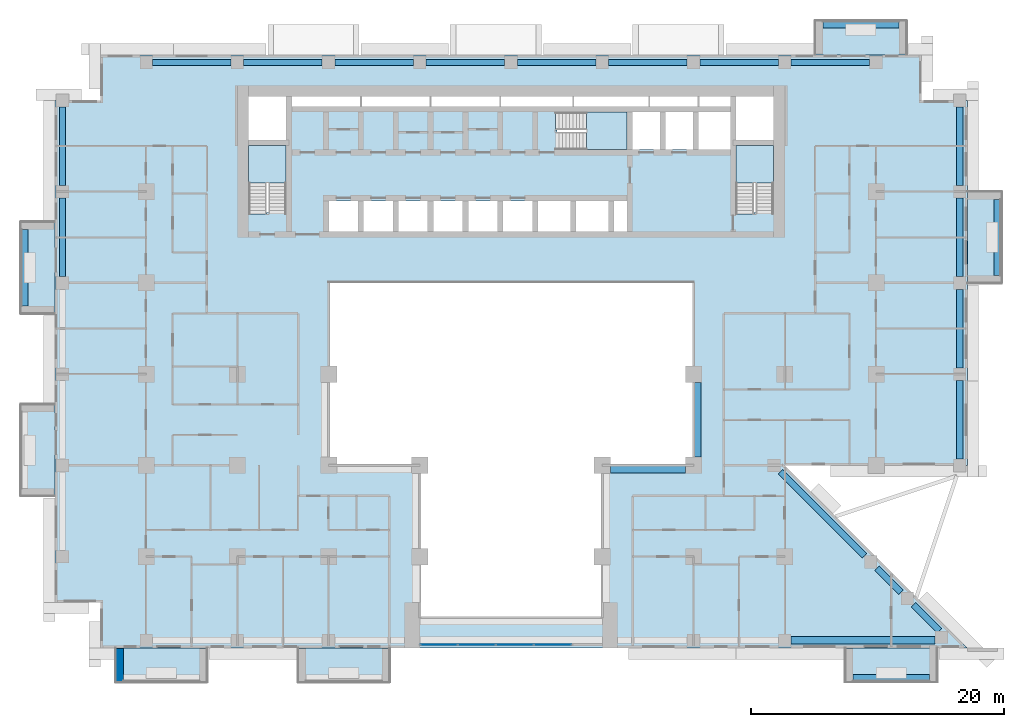
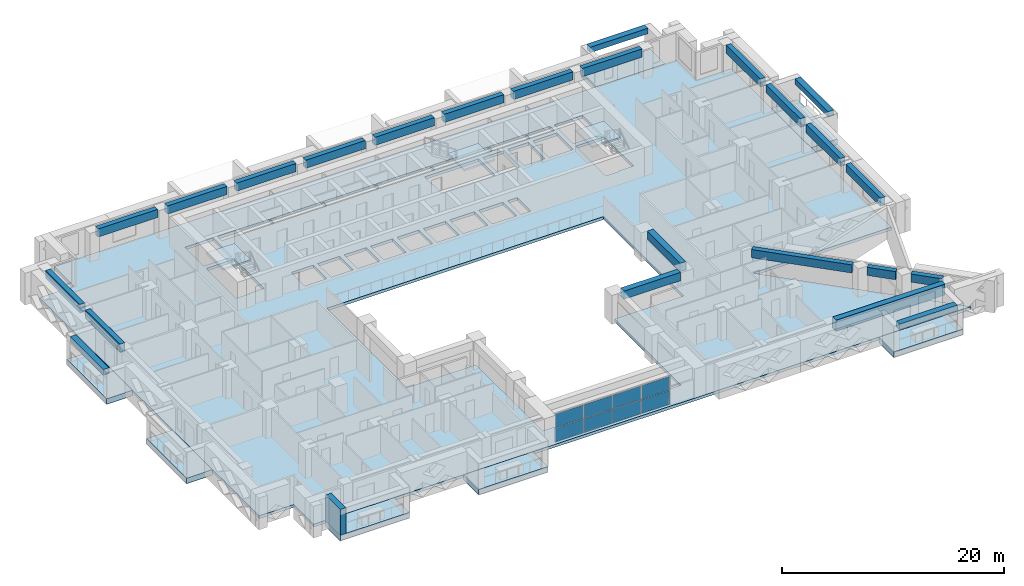
# One storey, part 5 of 17: 24 beams, 11 slabs, 8 plates, 1 wall, 4 elements without a shape of their own.
"""IFC4 building model written with IfcOpenShell, lengths in metres."""

from ifc_helpers import new_model, si_unit, direction, frame, frame_2d, origin, origin_2d, place, context, subcontext, project, spatial, polyline, rectangle, outline, extrude, source, transform, mapped, material, layer, layer_set, material_profile, profile_set, type_object, element, aggregate, save


model = new_model("IFC4")

# Units and contexts
model_context = context("Model", 3, precision=1e-05, world=origin(), true_north=direction((0.0, 1.0)))
body_context = subcontext(model_context, "Body", "Model", "MODEL_VIEW")
ifc_project = project(units=[si_unit("LENGTHUNIT", "METRE"), si_unit("AREAUNIT", "SQUARE_METRE"), si_unit("VOLUMEUNIT", "CUBIC_METRE"), si_unit("PLANEANGLEUNIT", "RADIAN"), si_unit("MASSUNIT", "GRAM", prefix="KILO")], contexts=[model_context])

# Site, building, storey
site_placement = place(None, origin())
site = spatial("IfcSite", under=ifc_project, at=site_placement, CompositionType="ELEMENT")
building_placement = place(site_placement, origin())
building = spatial("IfcBuilding", under=site, at=building_placement, Name="Saffron Iwan Residences", CompositionType="ELEMENT")
storey_placement = place(building_placement, frame((0.0, 0.0, 76.0)))
storey = spatial("IfcBuildingStorey", under=building, at=storey_placement, Name="L19", CompositionType="ELEMENT", Elevation=76.0)

# Beams
ifc_material_1 = material(Name="Concrete C60/75", Category="concrete")
ifc_material_profile_1 = material_profile(ifc_material_1, rectangle(XDim=0.5, YDim=0.89990234375, at=origin_2d()), Name="RC 500x900")
ifc_profile_set_1 = profile_set([ifc_material_profile_1], Name="Concrete C60/75")
beam_type_1 = type_object("IfcBeamType", Name="SPANDREL BEAM RC 500x900 C60/75 TOP 3180", PredefinedType="SPANDREL", material=ifc_profile_set_1)
shared_shape_1 = source(origin(), body_context, "Body", "SweptSolid", [
    extrude(rectangle(XDim=0.5, YDim=0.89990234375, at=origin_2d()), origin(), (0.0, 0.0, 1.0), 6.199951171875),
])
for number, where, z_axis, x_axis, name in (
    (1, (85.800048828125, 54.699951171875, 2.72998046875), (0.0, -1.0, 0.0), (1.0, 0.0, 0.0), "Spandrel beam"),
    (2, (85.800048828125, 61.89990234375, 2.72998046875), (0.0, -1.0, 0.0), (1.0, 0.0, 0.0), "Spandrel beam"),
    (3, (15.0, 70.10009765625, 2.72998046875), (0.0, 1.0, 0.0), (-1.0, 0.0, 0.0), "Spandrel beam"),
    (4, (85.800048828125, 76.300048828125, 2.72998046875), (0.0, -1.0, 0.0), (1.0, 0.0, 0.0), "Spandrel beam"),
    (5, (22.10009765625, 79.800048828125, 2.72998046875), (1.0, 0.0, 0.0), (0.0, 1.0, 0.0), "Spandrel beam"),
    (6, (29.300048828125, 79.800048828125, 2.72998046875), (1.0, 0.0, 0.0), (0.0, 1.0, 0.0), "Spandrel beam"),
    (7, (36.5, 79.800048828125, 2.72998046875), (1.0, 0.0, 0.0), (0.0, 1.0, 0.0), "Spandrel beam"),
    (8, (43.699951171875, 79.800048828125, 2.72998046875), (1.0, 0.0, 0.0), (0.0, 1.0, 0.0), "Spandrel beam"),
    (9, (58.10009765625, 79.800048828125, 2.72998046875), (1.0, 0.0, 0.0), (0.0, 1.0, 0.0), "Spandrel beam"),
    (10, (65.300048828125, 79.800048828125, 2.72998046875), (1.0, 0.0, 0.0), (0.0, 1.0, 0.0), "Spandrel beam"),
    (11, (72.5, 79.800048828125, 2.72998046875), (1.0, 0.0, 0.0), (0.0, 1.0, 0.0), "Spandrel beam"),
):
    element("IfcBeam", number, at=place(storey_placement, frame(where, z_axis=z_axis, x_axis=x_axis)), inside=storey, type_object=beam_type_1, Name=name, PredefinedType="SPANDREL", context=body_context, shape_type="MappedRepresentation", body=[
        mapped(shared_shape_1, transform((0.0, 0.0, 0.0))),
    ])
shared_shape_2 = source(origin(), body_context, "Body", "SweptSolid", [
    extrude(rectangle(XDim=0.5, YDim=0.89990234375, at=origin_2d()), origin(), (0.0, 0.0, 1.0), 2.90478515625),
])
beam_1_placement = place(storey_placement, frame((82.15576171875, 36.995849609375, 2.72998046875), z_axis=(0.707106781187, -0.707106781187, 0.0), x_axis=(0.707106781187, 0.707106781187, 0.0)))
element("IfcBeam", 12, at=beam_1_placement, inside=storey, type_object=beam_type_1, Name="Spandrel beam", PredefinedType="SPANDREL", context=body_context, shape_type="MappedRepresentation", body=[
    mapped(shared_shape_2, transform((0.0, 0.0, 0.0))),
])
shared_shape_3 = source(origin(), body_context, "Body", "SweptSolid", [
    extrude(rectangle(XDim=0.5, YDim=0.89990234375, at=origin_2d()), origin(), (0.0, 0.0, 1.0), 2.658935546875),
])
beam_2_placement = place(storey_placement, frame((79.275634765625, 39.875732421875, 2.72998046875), z_axis=(0.707106781187, -0.707106781187, 0.0), x_axis=(0.707106781187, 0.707106781187, 0.0)))
element("IfcBeam", 13, at=beam_2_placement, inside=storey, type_object=beam_type_1, Name="Spandrel beam", PredefinedType="SPANDREL", context=body_context, shape_type="MappedRepresentation", body=[
    mapped(shared_shape_3, transform((0.0, 0.0, 0.0))),
])
shared_shape_4 = source(origin(), body_context, "Body", "SweptSolid", [
    extrude(rectangle(XDim=0.5, YDim=0.89990234375, at=origin_2d()), origin(), (0.0, 0.0, 1.0), 9.370361328125),
])
beam_3_placement = place(storey_placement, frame((71.64990234375, 47.50146484375, 2.72998046875), z_axis=(0.707119808329, -0.707093753804, 0.0), x_axis=(0.707093753804, 0.707119808329, 0.0)))
element("IfcBeam", 14, at=beam_3_placement, inside=storey, type_object=beam_type_1, Name="Spandrel beam", PredefinedType="SPANDREL", context=body_context, shape_type="MappedRepresentation", body=[
    mapped(shared_shape_4, transform((0.0, 0.0, 0.0))),
])
shared_shape_5 = source(origin(), body_context, "Body", "SweptSolid", [
    extrude(rectangle(XDim=0.5, YDim=0.89990234375, at=origin_2d()), origin(), (0.0, 0.0, 1.0), 6.2001953125),
])
for number, where, z_axis, x_axis, name in (
    (15, (15.0, 62.89990234375, 2.72998046875), (0.0, 1.0, 0.0), (-1.0, 0.0, 0.0), "Spandrel beam"),
    (16, (85.800048828125, 69.10009765625, 2.72998046875), (0.0, -1.0, 0.0), (1.0, 0.0, 0.0), "Spandrel beam"),
    (17, (50.89990234375, 79.800048828125, 2.72998046875), (1.0, 0.0, 0.0), (0.0, 1.0, 0.0), "Spandrel beam"),
):
    element("IfcBeam", number, at=place(storey_placement, frame(where, z_axis=z_axis, x_axis=x_axis)), inside=storey, type_object=beam_type_1, Name=name, PredefinedType="SPANDREL", context=body_context, shape_type="MappedRepresentation", body=[
        mapped(shared_shape_5, transform((0.0, 0.0, 0.0))),
    ])
ifc_material_profile_2 = material_profile(ifc_material_1, rectangle(XDim=0.60009765625, YDim=1.199951171875, at=origin_2d()), Name="RC 600x1200")
ifc_profile_set_2 = profile_set([ifc_material_profile_2], Name="Concrete C60/75")
beam_type_2 = type_object("IfcBeamType", Name="LINTEL BEAM RC 600x1200 C60/75 TOP 3180", PredefinedType="LINTEL", material=ifc_profile_set_2)
shared_shape_6 = source(origin(), body_context, "Body", "SweptSolid", [
    extrude(rectangle(XDim=0.60009765625, YDim=1.199951171875, at=origin_2d()), origin(), (0.0, 0.0, 1.0), 11.367431640625),
])
beam_4_placement = place(storey_placement, frame((83.867431640625, 34.199951171875, 2.580078125), z_axis=(-1.0, 0.0, 0.0), x_axis=(0.0, -1.0, 0.0)))
element("IfcBeam", 18, at=beam_4_placement, inside=storey, type_object=beam_type_2, Name="Lintel beam over the iwan", PredefinedType="LINTEL", context=body_context, shape_type="MappedRepresentation", body=[
    mapped(shared_shape_6, transform((0.0, 0.0, 0.0))),
])
ifc_material_profile_3 = material_profile(ifc_material_1, rectangle(XDim=0.60009765625, YDim=0.89990234375, at=origin_2d()), Name="RC 600x900")
ifc_profile_set_3 = profile_set([ifc_material_profile_3], Name="Concrete C60/75")
beam_type_3 = type_object("IfcBeamType", Name="BEAM RC 600x900 C60/75 TOP 3180", PredefinedType="BEAM", material=ifc_profile_set_3)
shared_shape_7 = source(origin(), body_context, "Body", "SweptSolid", [
    extrude(rectangle(XDim=0.60009765625, YDim=0.89990234375, at=origin_2d()), origin(), (0.0, 0.0, 1.0), 5.900146484375),
])
beam_5_placement = place(storey_placement, frame((65.10009765625, 54.550048828125, 2.72998046875), z_axis=(0.0, -1.0, 0.0), x_axis=(1.0, 0.0, 0.0)))
element("IfcBeam", 19, at=beam_5_placement, inside=storey, type_object=beam_type_3, Name="Atrium edge beam", PredefinedType="BEAM", context=body_context, shape_type="MappedRepresentation", body=[
    mapped(shared_shape_7, transform((0.0, 0.0, 0.0))),
])
shared_shape_8 = source(origin(), body_context, "Body", "SweptSolid", [
    extrude(rectangle(XDim=0.60009765625, YDim=0.89990234375, at=origin_2d()), origin(), (0.0, 0.0, 1.0), 5.89990234375),
])
beam_6_placement = place(storey_placement, frame((64.14990234375, 47.699951171875, 2.72998046875), z_axis=(-1.0, 0.0, 0.0), x_axis=(0.0, -1.0, 0.0)))
element("IfcBeam", 20, at=beam_6_placement, inside=storey, type_object=beam_type_3, Name="Atrium edge beam", PredefinedType="BEAM", context=body_context, shape_type="MappedRepresentation", body=[
    mapped(shared_shape_8, transform((0.0, 0.0, 0.0))),
])
ifc_material_2 = material(Name="Concrete C50/60 white painted", Category="concrete")
ifc_material_profile_4 = material_profile(ifc_material_2, rectangle(XDim=0.60009765625, YDim=0.60009765625, at=origin_2d()), Name="BALCONY FASCIA BEAM 600 x 600")
ifc_profile_set_4 = profile_set([ifc_material_profile_4], Name="Concrete C50/60 white painted")
beam_type_4 = type_object("IfcBeamType", Name="BALCONY FASCIA BEAM 600 x 600", PredefinedType="BEAM", material=ifc_profile_set_4)
shared_shape_9 = source(origin(), body_context, "Body", "SweptSolid", [
    extrude(rectangle(XDim=0.60009765625, YDim=0.60009765625, at=origin_2d()), origin(), (0.0, 0.0, 1.0), 6.0),
])
for number, where, z_axis, x_axis, name in (
    (21, (88.800048828125, 63.0, 2.550048828125), (0.0, 1.0, 0.0), (-1.0, 0.0, 0.0), "Balcony fascia beam L19 F2-0"),
    (22, (81.0, 82.800048828125, 2.550048828125), (-1.0, 0.0, 0.0), (0.0, -1.0, 0.0), "Balcony fascia beam L19 F5-0"),
    (23, (12.0, 66.60009765625, 2.550048828125), (0.0, -1.0, 0.0), (1.0, 0.0, 0.0), "Balcony fascia beam L19 F8-0"),
    (24, (77.39990234375, 31.199951171875, 2.550048828125), (1.0, 0.0, 0.0), (0.0, 1.0, 0.0), "Balcony fascia beam L19 11-3"),
):
    element("IfcBeam", number, at=place(storey_placement, frame(where, z_axis=z_axis, x_axis=x_axis)), inside=storey, type_object=beam_type_4, Name=name, PredefinedType="BEAM", context=body_context, shape_type="MappedRepresentation", body=[
        mapped(shared_shape_9, transform((0.0, 0.0, 0.0))),
    ])

# Slabs
ifc_layer_1 = layer(ifc_material_2, 0.60009765625)
ifc_layer_set_1 = layer_set([ifc_layer_1], Name="Concrete C50/60 white painted")
slab_type_1 = type_object("IfcSlabType", Name="BALCONY FRAME SLAB 600", PredefinedType="FLOOR", material=ifc_layer_set_1)
slab_1_placement = place(storey_placement, frame((0.0, 0.0, -0.60009765625)))
element("IfcSlab", 25, at=slab_1_placement, inside=storey, type_object=slab_type_1, Name="Balcony frame slab L19 F2-0", PredefinedType="FLOOR", context=body_context, shape_type="SweptSolid", body=[
    extrude(outline(polyline([(89.10009765625, 62.39990234375), (89.10009765625, 69.60009765625), (86.39990234375, 69.60009765625), (86.39990234375, 62.39990234375), (89.10009765625, 62.39990234375)])), origin(), (0.0, 0.0, 1.0), 0.60009765625),
])
slab_2_placement = place(storey_placement, frame((0.0, 0.0, -0.60009765625)))
element("IfcSlab", 26, at=slab_2_placement, inside=storey, type_object=slab_type_1, Name="Balcony frame slab L19 F5-0", PredefinedType="FLOOR", context=body_context, shape_type="SweptSolid", body=[
    extrude(outline(polyline([(81.60009765625, 83.10009765625), (74.39990234375, 83.10009765625), (74.39990234375, 80.39990234375), (81.60009765625, 80.39990234375), (81.60009765625, 83.10009765625)])), origin(), (0.0, 0.0, 1.0), 0.60009765625),
])
slab_3_placement = place(storey_placement, frame((0.0, 0.0, -0.60009765625)))
element("IfcSlab", 27, at=slab_3_placement, inside=storey, type_object=slab_type_1, Name="Balcony frame slab L19 F8-0", PredefinedType="FLOOR", context=body_context, shape_type="SweptSolid", body=[
    extrude(outline(polyline([(11.699951171875, 67.199951171875), (11.699951171875, 60.0), (14.39990234375, 60.0), (14.39990234375, 67.199951171875), (11.699951171875, 67.199951171875)])), origin(), (0.0, 0.0, 1.0), 0.60009765625),
])
slab_4_placement = place(storey_placement, frame((0.0, 0.0, -0.60009765625)))
element("IfcSlab", 28, at=slab_4_placement, inside=storey, type_object=slab_type_1, Name="Balcony frame slab L19 F8-1", PredefinedType="FLOOR", context=body_context, shape_type="SweptSolid", body=[
    extrude(outline(polyline([(11.699951171875, 52.800048828125), (11.699951171875, 45.60009765625), (14.39990234375, 45.60009765625), (14.39990234375, 52.800048828125), (11.699951171875, 52.800048828125)])), origin(), (0.0, 0.0, 1.0), 0.60009765625),
])
slab_5_placement = place(storey_placement, frame((0.0, 0.0, -0.60009765625)))
element("IfcSlab", 29, at=slab_5_placement, inside=storey, type_object=slab_type_1, Name="Balcony frame slab L19 11-0", PredefinedType="FLOOR", context=body_context, shape_type="SweptSolid", body=[
    extrude(outline(polyline([(19.199951171875, 30.89990234375), (26.39990234375, 30.89990234375), (26.39990234375, 33.60009765625), (19.199951171875, 33.60009765625), (19.199951171875, 30.89990234375)])), origin(), (0.0, 0.0, 1.0), 0.60009765625),
])
slab_6_placement = place(storey_placement, frame((0.0, 0.0, -0.60009765625)))
element("IfcSlab", 30, at=slab_6_placement, inside=storey, type_object=slab_type_1, Name="Balcony frame slab L19 11-1", PredefinedType="FLOOR", context=body_context, shape_type="SweptSolid", body=[
    extrude(outline(polyline([(33.60009765625, 30.89990234375), (40.800048828125, 30.89990234375), (40.800048828125, 33.60009765625), (33.60009765625, 33.60009765625), (33.60009765625, 30.89990234375)])), origin(), (0.0, 0.0, 1.0), 0.60009765625),
])
slab_7_placement = place(storey_placement, frame((0.0, 0.0, -0.60009765625)))
element("IfcSlab", 31, at=slab_7_placement, inside=storey, type_object=slab_type_1, Name="Balcony frame slab L19 11-3", PredefinedType="FLOOR", context=body_context, shape_type="SweptSolid", body=[
    extrude(outline(polyline([(76.800048828125, 30.89990234375), (84.0, 30.89990234375), (84.0, 33.60009765625), (76.800048828125, 33.60009765625), (76.800048828125, 30.89990234375)])), origin(), (0.0, 0.0, 1.0), 0.60009765625),
])
ifc_material_3 = material(Name="Concrete C40/50", Category="concrete")
ifc_layer_2 = layer(ifc_material_3, 0.320068359375)
ifc_layer_set_2 = layer_set([ifc_layer_2], Name="Concrete C40/50")
slab_type_2 = type_object("IfcSlabType", Name="PT PLATE 320 C40/50", PredefinedType="FLOOR", material=ifc_layer_set_2)
slab_8_placement = place(storey_placement, frame((0.0, 0.0, -0.320068359375)))
element("IfcSlab", 32, at=slab_8_placement, inside=storey, type_object=slab_type_2, Name="Floor slab L19", PredefinedType="FLOOR", context=body_context, shape_type="SweptSolid", body=[
    extrude(outline(polyline([(14.39990234375, 37.199951171875), (14.39990234375, 76.800048828125), (18.0, 76.800048828125), (18.0, 80.39990234375), (82.800048828125, 80.39990234375), (82.800048828125, 76.800048828125), (86.39990234375, 76.800048828125), (86.39990234375, 48.0), (72.0, 48.0), (86.39990234375, 33.60009765625), (18.0, 33.60009765625), (18.0, 37.199951171875), (14.39990234375, 37.199951171875)]), holes=[polyline([(64.800048828125, 48.0), (64.800048828125, 62.39990234375), (36.0, 62.39990234375), (36.0, 48.0), (43.199951171875, 48.0), (43.199951171875, 36.0), (57.60009765625, 36.0), (57.60009765625, 48.0), (64.800048828125, 48.0)]), polyline([(38.324951171875, 68.875), (36.02490234375, 68.875), (36.02490234375, 66.449951171875), (38.324951171875, 66.449951171875), (38.324951171875, 68.875)]), polyline([(41.074951171875, 66.449951171875), (41.074951171875, 68.875), (38.77490234375, 68.875), (38.77490234375, 66.449951171875), (41.074951171875, 66.449951171875)]), polyline([(43.824951171875, 66.449951171875), (43.824951171875, 68.875), (41.52490234375, 68.875), (41.52490234375, 66.449951171875), (43.824951171875, 66.449951171875)]), polyline([(46.574951171875, 68.875), (44.27490234375, 68.875), (44.27490234375, 66.449951171875), (46.574951171875, 66.449951171875), (46.574951171875, 68.875)]), polyline([(49.324951171875, 66.449951171875), (49.324951171875, 68.875), (47.02490234375, 68.875), (47.02490234375, 66.449951171875), (49.324951171875, 66.449951171875)]), polyline([(52.074951171875, 66.449951171875), (52.074951171875, 68.875), (49.77490234375, 68.875), (49.77490234375, 66.449951171875), (52.074951171875, 66.449951171875)]), polyline([(29.699951171875, 73.25), (29.699951171875, 67.949951171875), (29.699951171875, 67.8505859375), (31.10009765625, 67.8505859375), (31.10009765625, 67.949951171875), (32.64990234375, 67.949951171875), (32.64990234375, 73.25), (29.699951171875, 73.25)]), polyline([(32.64990234375, 73.699951171875), (32.64990234375, 77.10009765625), (29.699951171875, 77.10009765625), (29.699951171875, 73.699951171875), (32.64990234375, 73.699951171875)]), polyline([(38.5, 76.324951171875), (38.5, 77.10009765625), (33.10009765625, 77.10009765625), (33.10009765625, 76.324951171875), (38.5, 76.324951171875)]), polyline([(44.0, 77.10009765625), (38.60009765625, 77.10009765625), (38.60009765625, 76.324951171875), (44.0, 76.324951171875), (44.0, 77.10009765625)]), polyline([(49.5, 76.324951171875), (49.5, 77.10009765625), (44.10009765625, 77.10009765625), (44.10009765625, 76.324951171875), (49.5, 76.324951171875)]), polyline([(55.25, 76.324951171875), (55.25, 77.10009765625), (49.60009765625, 77.10009765625), (49.60009765625, 76.324951171875), (55.25, 76.324951171875)]), polyline([(55.074951171875, 68.875), (52.52490234375, 68.875), (52.52490234375, 66.449951171875), (55.074951171875, 66.449951171875), (55.074951171875, 68.875)]), polyline([(58.074951171875, 66.449951171875), (58.074951171875, 68.875), (55.52490234375, 68.875), (55.52490234375, 66.449951171875), (58.074951171875, 66.449951171875)]), polyline([(59.550048828125, 66.449951171875), (59.550048828125, 68.875), (58.52490234375, 68.875), (58.52490234375, 66.449951171875), (59.550048828125, 66.449951171875)]), polyline([(68.14990234375, 73.25), (68.14990234375, 67.949951171875), (68.14990234375, 67.8505859375), (69.550048828125, 67.8505859375), (69.550048828125, 67.949951171875), (71.10009765625, 67.949951171875), (71.10009765625, 73.25), (68.14990234375, 73.25)]), polyline([(53.925537109375, 74.47509765625), (54.02490234375, 74.47509765625), (54.02490234375, 72.925048828125), (59.550048828125, 72.925048828125), (59.550048828125, 75.875), (54.02490234375, 75.875), (53.925537109375, 75.875), (53.925537109375, 74.47509765625)]), polyline([(62.14990234375, 72.925048828125), (62.14990234375, 75.875), (60.0, 75.875), (60.0, 72.925048828125), (62.14990234375, 72.925048828125)]), polyline([(64.75, 75.875), (62.60009765625, 75.875), (62.60009765625, 72.925048828125), (64.75, 72.925048828125), (64.75, 75.875)]), polyline([(67.699951171875, 72.925048828125), (67.699951171875, 75.875), (65.199951171875, 75.875), (65.199951171875, 72.925048828125), (67.699951171875, 72.925048828125)]), polyline([(71.10009765625, 73.699951171875), (71.10009765625, 77.10009765625), (68.14990234375, 77.10009765625), (68.14990234375, 73.699951171875), (71.10009765625, 73.699951171875)]), polyline([(61.25, 77.10009765625), (55.35009765625, 77.10009765625), (55.35009765625, 76.324951171875), (61.25, 76.324951171875), (61.25, 77.10009765625)]), polyline([(65.14990234375, 76.324951171875), (65.14990234375, 77.10009765625), (61.35009765625, 77.10009765625), (61.35009765625, 76.324951171875), (65.14990234375, 76.324951171875)]), polyline([(67.699951171875, 76.324951171875), (67.699951171875, 77.10009765625), (65.25, 77.10009765625), (65.25, 76.324951171875), (67.699951171875, 76.324951171875)])]), origin(), (0.0, 0.0, 1.0), 0.320068359375),
])

# Stair, slab
ifc_material_4 = material(Name="Concrete C50/60", Category="concrete")
stair_type = type_object("IfcStairType", Name="Stair ST-CORE", PredefinedType="HALF_TURN_STAIR", material=ifc_material_4)
stair_1_placement = place(storey_placement, origin())
stair_1 = element("IfcStair", 33, at=stair_1_placement, inside=storey, type_object=stair_type, Name="L19 Exit Stair ST-W", PredefinedType="HALF_TURN_STAIR")
ifc_layer_3 = layer(ifc_material_4, 0.199951171875)
ifc_layer_set_3 = layer_set([ifc_layer_3], Name="Concrete C50/60")
slab_type_3 = type_object("IfcSlabType", Name="Stair landing SL-RC", PredefinedType="LANDING", material=ifc_layer_set_3)
slab_9_placement = place(storey_placement, frame((0.0, 0.0, 1.5498046875)))
slab_9 = element("IfcSlab", 34, at=slab_9_placement, type_object=slab_type_3, Name="ST-W landing 1", PredefinedType="LANDING", context=body_context, shape_type="SweptSolid", body=[
    extrude(outline(polyline([(32.64990234375, 70.280029296875), (32.64990234375, 73.25), (29.699951171875, 73.25), (29.699951171875, 70.280029296875), (32.64990234375, 70.280029296875)])), origin(), (0.0, 0.0, 1.0), 0.2001953125),
])
aggregate(stair_1, [slab_9])

stair_2_placement = place(storey_placement, origin())
stair_2 = element("IfcStair", 35, at=stair_2_placement, inside=storey, type_object=stair_type, Name="L19 Exit Stair ST-C", PredefinedType="HALF_TURN_STAIR")
slab_10_placement = place(storey_placement, frame((0.0, 0.0, 1.5498046875)))
slab_10 = element("IfcSlab", 36, at=slab_10_placement, type_object=slab_type_3, Name="ST-C landing 1", PredefinedType="LANDING", context=body_context, shape_type="SweptSolid", body=[
    extrude(outline(polyline([(56.35498046875, 72.925048828125), (59.550048828125, 72.925048828125), (59.550048828125, 75.875), (56.35498046875, 75.875), (56.35498046875, 72.925048828125)])), origin(), (0.0, 0.0, 1.0), 0.2001953125),
])
aggregate(stair_2, [slab_10])

stair_3_placement = place(storey_placement, origin())
stair_3 = element("IfcStair", 37, at=stair_3_placement, inside=storey, type_object=stair_type, Name="L19 Exit Stair ST-E", PredefinedType="HALF_TURN_STAIR")
slab_11_placement = place(storey_placement, frame((0.0, 0.0, 1.5498046875)))
slab_11 = element("IfcSlab", 38, at=slab_11_placement, type_object=slab_type_3, Name="ST-E landing 1", PredefinedType="LANDING", context=body_context, shape_type="SweptSolid", body=[
    extrude(outline(polyline([(71.10009765625, 70.280029296875), (71.10009765625, 73.25), (68.14990234375, 73.25), (68.14990234375, 70.280029296875), (71.10009765625, 70.280029296875)])), origin(), (0.0, 0.0, 1.0), 0.2001953125),
])
aggregate(stair_3, [slab_11])

# Curtain wall, plates
ifc_material_5 = material(Name="Clear glass, laminated double glazed", Category="glass")
ifc_layer_4 = layer(ifc_material_5, 0.199951171875)
ifc_layer_set_4 = layer_set([ifc_layer_4], Name="Clear glass, laminated double glazed")
curtain_wall_type = type_object("IfcCurtainWallType", Name="CW-B IWAN PORTAL", PredefinedType="NOTDEFINED", material=ifc_layer_set_4)
curtain_wall_placement = place(storey_placement, origin())
curtain_wall = element("IfcCurtainWall", 39, at=curtain_wall_placement, inside=storey, type_object=curtain_wall_type, Name="Iwan portal glazing L19.1", PredefinedType="NOTDEFINED")
ifc_layer_5 = layer(ifc_material_5, 0.028076171875)
ifc_layer_set_5 = layer_set([ifc_layer_5], Name="Clear glass, laminated double glazed")
plate_type = type_object("IfcPlateType", Name="CW-B PANEL 28", PredefinedType="CURTAIN_PANEL", material=ifc_layer_set_5)
shared_shape_10 = source(origin(), body_context, "Body", "SweptSolid", [
    extrude(rectangle(XDim=2.909912109375, YDim=0.028076171875, at=origin_2d()), origin(), (0.0, 0.0, 1.0), 1.5),
])
plate_1_placement = place(storey_placement, frame((44.715087890625, 33.85009765625, 0.06005859375), z_axis=(0.0, 0.0, 1.0), x_axis=(1.0, 0.0, 0.0)))
plate_1 = element("IfcPlate", 40, at=plate_1_placement, type_object=plate_type, Name="CW-B panel 1.1", PredefinedType="CURTAIN_PANEL", context=body_context, shape_type="MappedRepresentation", body=[
    mapped(shared_shape_10, transform((0.0, 0.0, 0.0))),
])
plate_2_placement = place(storey_placement, frame((44.715087890625, 33.85009765625, 1.6201171875), z_axis=(0.0, 0.0, 1.0), x_axis=(1.0, 0.0, 0.0)))
plate_2 = element("IfcPlate", 41, at=plate_2_placement, type_object=plate_type, Name="CW-B panel 1.2", PredefinedType="CURTAIN_PANEL", context=body_context, shape_type="MappedRepresentation", body=[
    mapped(shared_shape_10, transform((0.0, 0.0, 0.0))),
])
plate_3_placement = place(storey_placement, frame((53.68505859375, 33.85009765625, 0.06005859375), z_axis=(0.0, 0.0, 1.0), x_axis=(1.0, 0.0, 0.0)))
plate_3 = element("IfcPlate", 42, at=plate_3_placement, type_object=plate_type, Name="CW-B panel 4.1", PredefinedType="CURTAIN_PANEL", context=body_context, shape_type="MappedRepresentation", body=[
    mapped(shared_shape_10, transform((0.0, 0.0, 0.0))),
])
plate_4_placement = place(storey_placement, frame((53.68505859375, 33.85009765625, 1.6201171875), z_axis=(0.0, 0.0, 1.0), x_axis=(1.0, 0.0, 0.0)))
plate_4 = element("IfcPlate", 43, at=plate_4_placement, type_object=plate_type, Name="CW-B panel 4.2", PredefinedType="CURTAIN_PANEL", context=body_context, shape_type="MappedRepresentation", body=[
    mapped(shared_shape_10, transform((0.0, 0.0, 0.0))),
])
shared_shape_11 = source(origin(), body_context, "Body", "SweptSolid", [
    extrude(rectangle(XDim=2.93994140625, YDim=0.028076171875, at=origin_2d()), origin(), (0.0, 0.0, 1.0), 1.5),
])
plate_5_placement = place(storey_placement, frame((47.699951171875, 33.85009765625, 0.06005859375), z_axis=(0.0, 0.0, 1.0), x_axis=(1.0, 0.0, 0.0)))
plate_5 = element("IfcPlate", 44, at=plate_5_placement, type_object=plate_type, Name="CW-B panel 2.1", PredefinedType="CURTAIN_PANEL", context=body_context, shape_type="MappedRepresentation", body=[
    mapped(shared_shape_11, transform((0.0, 0.0, 0.0))),
])
plate_6_placement = place(storey_placement, frame((47.699951171875, 33.85009765625, 1.6201171875), z_axis=(0.0, 0.0, 1.0), x_axis=(1.0, 0.0, 0.0)))
plate_6 = element("IfcPlate", 45, at=plate_6_placement, type_object=plate_type, Name="CW-B panel 2.2", PredefinedType="CURTAIN_PANEL", context=body_context, shape_type="MappedRepresentation", body=[
    mapped(shared_shape_11, transform((0.0, 0.0, 0.0))),
])
plate_7_placement = place(storey_placement, frame((50.699951171875, 33.85009765625, 0.06005859375), z_axis=(0.0, 0.0, 1.0), x_axis=(1.0, 0.0, 0.0)))
plate_7 = element("IfcPlate", 46, at=plate_7_placement, type_object=plate_type, Name="CW-B panel 3.1", PredefinedType="CURTAIN_PANEL", context=body_context, shape_type="MappedRepresentation", body=[
    mapped(shared_shape_11, transform((0.0, 0.0, 0.0))),
])
plate_8_placement = place(storey_placement, frame((50.699951171875, 33.85009765625, 1.6201171875), z_axis=(0.0, 0.0, 1.0), x_axis=(1.0, 0.0, 0.0)))
plate_8 = element("IfcPlate", 47, at=plate_8_placement, type_object=plate_type, Name="CW-B panel 3.2", PredefinedType="CURTAIN_PANEL", context=body_context, shape_type="MappedRepresentation", body=[
    mapped(shared_shape_11, transform((0.0, 0.0, 0.0))),
])
aggregate(curtain_wall, [plate_1, plate_2, plate_5, plate_6, plate_7, plate_8, plate_3, plate_4])

# Wall
ifc_layer_6 = layer(ifc_material_2, 0.60009765625)
ifc_layer_set_6 = layer_set([ifc_layer_6], Name="Concrete C50/60 white painted")
wall_type = type_object("IfcWallType", Name="BALCONY FIN 600", PredefinedType="SOLIDWALL", material=ifc_layer_set_6)
wall_placement = place(storey_placement, frame((19.5, 33.550048828125, 0.0), z_axis=(0.0, 0.0, 1.0), x_axis=(0.0, -1.0, 0.0)))
element("IfcWall", 48, at=wall_placement, inside=storey, type_object=wall_type, Name="Balcony fin L19 11-0a", PredefinedType="SOLIDWALL", context=body_context, shape_type="SweptSolid", body=[
    extrude(rectangle(XDim=2.650146484375, YDim=0.60009765625, at=frame_2d((1.3251953125, 0.0))), origin(), (0.0, 0.0, 1.0), 2.85009765625),
])

save(model, "model.ifc")
